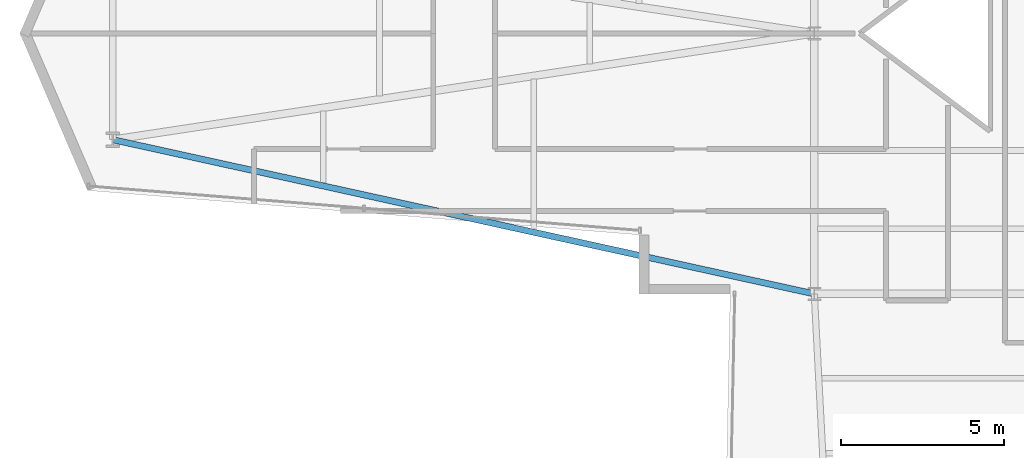
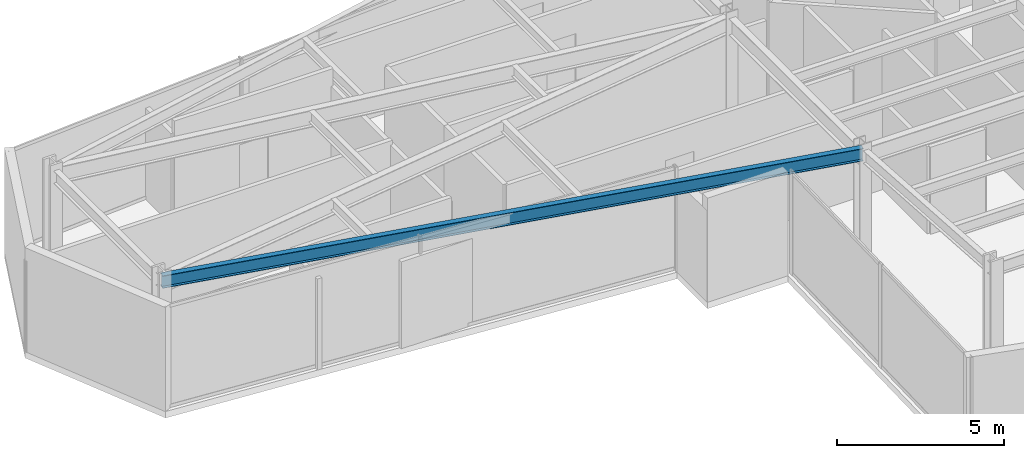
# One storey, part 3 of 23: 1 beam.
"""IFC4 building model written with IfcOpenShell, lengths in metres."""

from ifc_helpers import new_model, si_unit, direction, frame, origin, origin_2d, place, context, subcontext, project, spatial, i_section, extrude, material, material_profile, profile_set, type_object, element, save


model = new_model("IFC4")

# Units and contexts
model_context = context("Model", 3, precision=1e-05, world=origin(), true_north=direction((0.0, 1.0)))
body_context = subcontext(model_context, "Body", "Model", "MODEL_VIEW")
ifc_project = project(units=[si_unit("LENGTHUNIT", "METRE"), si_unit("AREAUNIT", "SQUARE_METRE"), si_unit("VOLUMEUNIT", "CUBIC_METRE"), si_unit("PLANEANGLEUNIT", "RADIAN"), si_unit("MASSUNIT", "GRAM", prefix="KILO")], contexts=[model_context])

# Site, building, storey
site_placement = place(None, origin())
site = spatial("IfcSite", under=ifc_project, at=site_placement, CompositionType="ELEMENT")
building_placement = place(site_placement, origin())
building = spatial("IfcBuilding", under=site, at=building_placement, Name="Veymaron Broadcast Tower", CompositionType="ELEMENT")
storey_placement = place(building_placement, frame((0.0, 0.0, 94.5)))
storey = spatial("IfcBuildingStorey", under=building, at=storey_placement, Name="L21", CompositionType="ELEMENT", Elevation=94.5)

# Beam
ifc_material = material(Name="Structural steel ASTM A992 Gr 50", Category="steel")
ifc_material_profile = material_profile(ifc_material, i_section(OverallWidth=0.19091796875, OverallDepth=0.4599609375, WebThickness=0.010009765625, FlangeThickness=0.01611328125, at=origin_2d()), Name="W460X82")
ifc_profile_set = profile_set([ifc_material_profile], Name="Structural steel ASTM A992 Gr 50")
beam_type = type_object("IfcBeamType", Name="BM-SP1", PredefinedType="SPANDREL", material=ifc_profile_set)
beam_placement = place(storey_placement, frame((9.6630859375, 20.735107421875, 3.580078125), z_axis=(0.976673034469, -0.214731888041, 0.0), x_axis=(0.214731888041, 0.976673034469, 0.0)))
element("IfcBeam", 1, at=beam_placement, inside=storey, type_object=beam_type, Name="L21 primary structural floor girder", PredefinedType="SPANDREL", context=body_context, shape_type="SweptSolid", body=[
    extrude(i_section(OverallWidth=0.19091796875, OverallDepth=0.4599609375, WebThickness=0.010009765625, FlangeThickness=0.01611328125, at=origin_2d()), origin(), (0.0, 0.0, 1.0), 22.05126953125),
])

save(model, "model.ifc")
